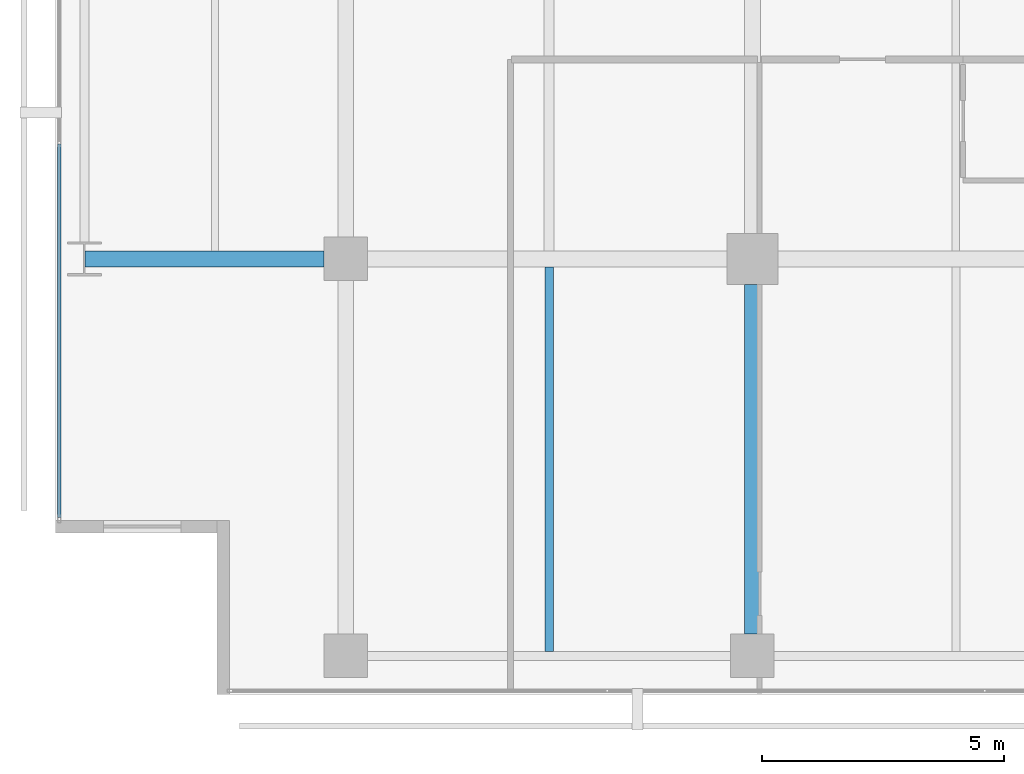
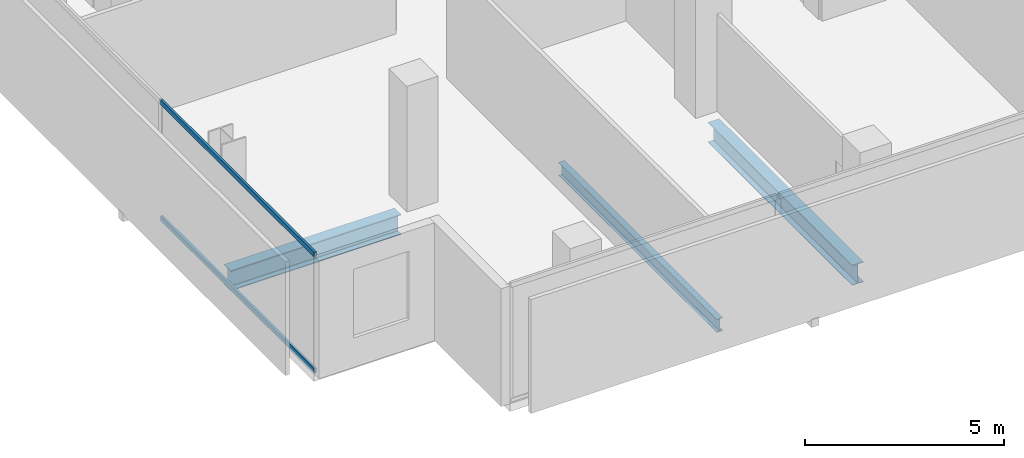
# One storey, part 4 of 39: 3 beams, 2 members, 1 element without a shape of its own.
"""IFC4 building model written with IfcOpenShell, lengths in metres."""

from ifc_helpers import new_model, si_unit, direction, frame, origin, origin_2d, place, context, subcontext, project, spatial, hollow_rectangle, i_section, extrude, material, layer, layer_set, material_profile, profile_set, type_object, element, aggregate, save


model = new_model("IFC4")

# Units and contexts
model_context = context("Model", 3, precision=1e-05, world=origin(), true_north=direction((0.0, 1.0)))
body_context = subcontext(model_context, "Body", "Model", "MODEL_VIEW")
ifc_project = project(units=[si_unit("LENGTHUNIT", "METRE"), si_unit("AREAUNIT", "SQUARE_METRE"), si_unit("VOLUMEUNIT", "CUBIC_METRE"), si_unit("PLANEANGLEUNIT", "RADIAN"), si_unit("MASSUNIT", "GRAM", prefix="KILO")], contexts=[model_context])

# Site, building, storey
site_placement = place(None, origin())
site = spatial("IfcSite", under=ifc_project, at=site_placement, CompositionType="ELEMENT")
building_placement = place(site_placement, origin())
building = spatial("IfcBuilding", under=site, at=building_placement, Name="Maruvema Waterfront Hotel and Observation Tower", CompositionType="ELEMENT")
storey_placement = place(building_placement, frame((0.0, 0.0, 65.449951171875)))
storey = spatial("IfcBuildingStorey", under=building, at=storey_placement, Name="L15", CompositionType="ELEMENT", Elevation=65.449951171875)

# Curtain wall, members
ifc_material_1 = material(Name="Anodised bronze aluminium and solar-control low-E IGU", Category="aluminium")
ifc_layer = layer(ifc_material_1, 0.159912109375, Name="Zone 1 Bronze Inner Thermal Curtain Wall System CW-02")
ifc_layer_set = layer_set([ifc_layer], Name="Anodised bronze aluminium and solar-control low-E IGU")
curtain_wall_type = type_object("IfcCurtainWallType", Name="Zone 1 Bronze Inner Thermal Curtain Wall System CW-02", PredefinedType="USERDEFINED", material=ifc_layer_set)
curtain_wall_placement = place(storey_placement, origin())
curtain_wall = element("IfcCurtainWall", 1, at=curtain_wall_placement, inside=storey, type_object=curtain_wall_type, Name="L15 Curtain Wall CW-L15-W", ObjectType="UNITISED CURTAIN WALL", PredefinedType="USERDEFINED")
ifc_material_2 = material(Name="Anodised architectural bronze aluminium", Category="aluminium")
ifc_material_profile_1 = material_profile(ifc_material_2, hollow_rectangle(XDim=0.070068359375, YDim=0.14990234375, WallThickness=0.00390625, at=origin_2d()), Name="ALU-T70x150")
ifc_profile_set_1 = profile_set([ifc_material_profile_1], Name="Anodised architectural bronze aluminium")
member_type = type_object("IfcMemberType", Name="Curtain Wall Horizontal Transom ALU-T70x150", PredefinedType="USERDEFINED", material=ifc_profile_set_1)
member_1_placement = place(storey_placement, frame((10.8798828125, 11.3701171875, 0.030029296875), z_axis=(0.0, -1.0, 0.0), x_axis=(1.0, 0.0, 0.0)))
member_1 = element("IfcMember", 2, at=member_1_placement, type_object=member_type, Name="CW-02 transom 6.1", ObjectType="TRANSOM", PredefinedType="USERDEFINED", context=body_context, shape_type="SweptSolid", body=[
    extrude(hollow_rectangle(XDim=0.070068359375, YDim=0.14990234375, WallThickness=0.00390625, at=origin_2d()), origin(), (0.0, 0.0, 1.0), 7.710205078125),
])
member_2_placement = place(storey_placement, frame((10.8798828125, 11.3701171875, 3.580078125), z_axis=(0.0, -1.0, 0.0), x_axis=(1.0, 0.0, 0.0)))
member_2 = element("IfcMember", 3, at=member_2_placement, type_object=member_type, Name="CW-02 transom 6.2", ObjectType="TRANSOM", PredefinedType="USERDEFINED", context=body_context, shape_type="SweptSolid", body=[
    extrude(hollow_rectangle(XDim=0.070068359375, YDim=0.14990234375, WallThickness=0.00390625, at=origin_2d()), origin(), (0.0, 0.0, 1.0), 7.710205078125),
])
aggregate(curtain_wall, [member_1, member_2])

# Beams
ifc_material_3 = material(Name="Steel ASTM A572 Grade 50", Category="steel")
ifc_material_profile_2 = material_profile(ifc_material_3, i_section(OverallWidth=0.326904296875, OverallDepth=0.6220703125, WebThickness=0.015380859375, FlangeThickness=0.0244140625, FilletRadius=0.01806640625, at=origin_2d()), Name="W610x195.0")
ifc_profile_set_2 = profile_set([ifc_material_profile_2], Name="Steel ASTM A572 Grade 50")
beam_type_1 = type_object("IfcBeamType", Name="Primary Floor Girder W610x195.0", PredefinedType="BEAM", material=ifc_profile_set_2)
beam_1_placement = place(storey_placement, frame((11.4140625, 9.0, -0.551025390625), z_axis=(1.0, 0.0, 0.0), x_axis=(0.0, 1.0, 0.0)))
element("IfcBeam", 4, at=beam_1_placement, inside=storey, type_object=beam_type_1, Name="L15 Floor Girder EW-06", PredefinedType="BEAM", context=body_context, shape_type="SweptSolid", body=[
    extrude(i_section(OverallWidth=0.326904296875, OverallDepth=0.6220703125, WebThickness=0.015380859375, FlangeThickness=0.0244140625, FilletRadius=0.01806640625, at=origin_2d()), origin(), (0.0, 0.0, 1.0), 4.93603515625),
])
beam_2_placement = place(storey_placement, frame((25.199951171875, 1.25, -0.551025390625), z_axis=(0.0, 1.0, 0.0), x_axis=(-1.0, 0.0, 0.0)))
element("IfcBeam", 5, at=beam_2_placement, inside=storey, type_object=beam_type_1, Name="L15 Floor Girder NS-11", PredefinedType="BEAM", context=body_context, shape_type="SweptSolid", body=[
    extrude(i_section(OverallWidth=0.326904296875, OverallDepth=0.6220703125, WebThickness=0.015380859375, FlangeThickness=0.0244140625, FilletRadius=0.01806640625, at=origin_2d()), origin(), (0.0, 0.0, 1.0), 7.22509765625),
])
ifc_material_4 = material(Name="Steel ASTM A572 Grade 50", Category="steel")
ifc_material_profile_3 = material_profile(ifc_material_4, i_section(OverallWidth=0.177001953125, OverallDepth=0.403076171875, WebThickness=0.007568359375, FlangeThickness=0.010986328125, FilletRadius=0.014892578125, at=origin_2d()), Name="W410x53.0")
ifc_profile_set_3 = profile_set([ifc_material_profile_3], Name="Steel ASTM A572 Grade 50")
beam_type_2 = type_object("IfcBeamType", Name="Secondary Floor Joist W410x53.0", PredefinedType="JOIST", material=ifc_profile_set_3)
beam_3_placement = place(storey_placement, frame((21.0, 0.89501953125, -0.44140625), z_axis=(0.0, 1.0, 0.0), x_axis=(-1.0, 0.0, 0.0)))
element("IfcBeam", 6, at=beam_3_placement, inside=storey, type_object=beam_type_2, Name="L15 Secondary Floor Joist JS-05", PredefinedType="JOIST", context=body_context, shape_type="SweptSolid", body=[
    extrude(i_section(OverallWidth=0.177001953125, OverallDepth=0.403076171875, WebThickness=0.007568359375, FlangeThickness=0.010986328125, FilletRadius=0.014892578125, at=origin_2d()), origin(), (0.0, 0.0, 1.0), 7.94140625),
])

save(model, "model.ifc")
